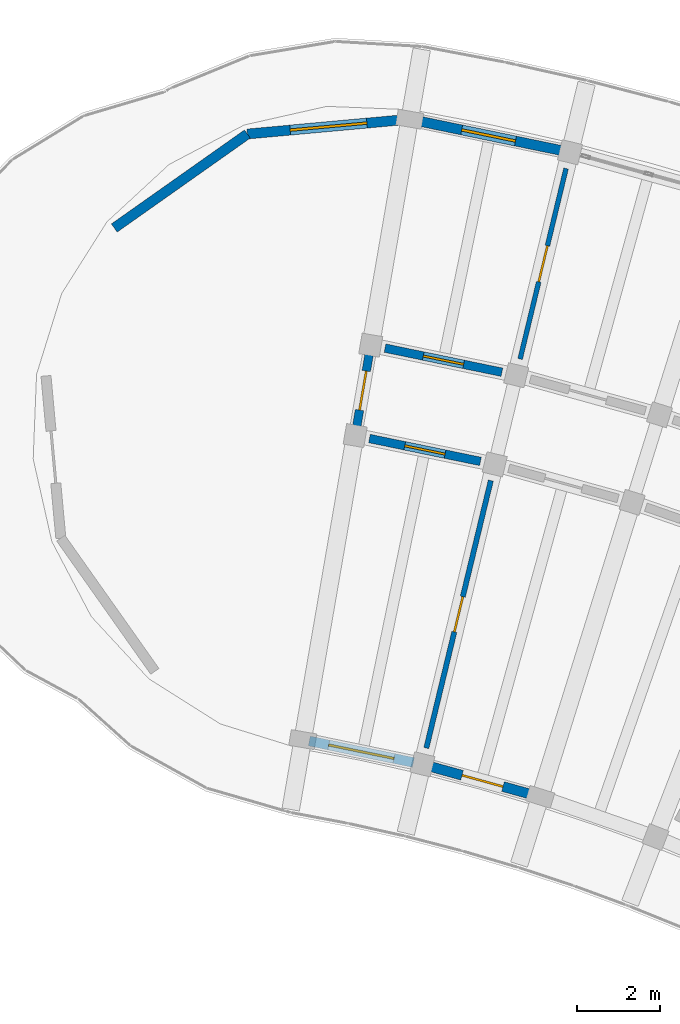
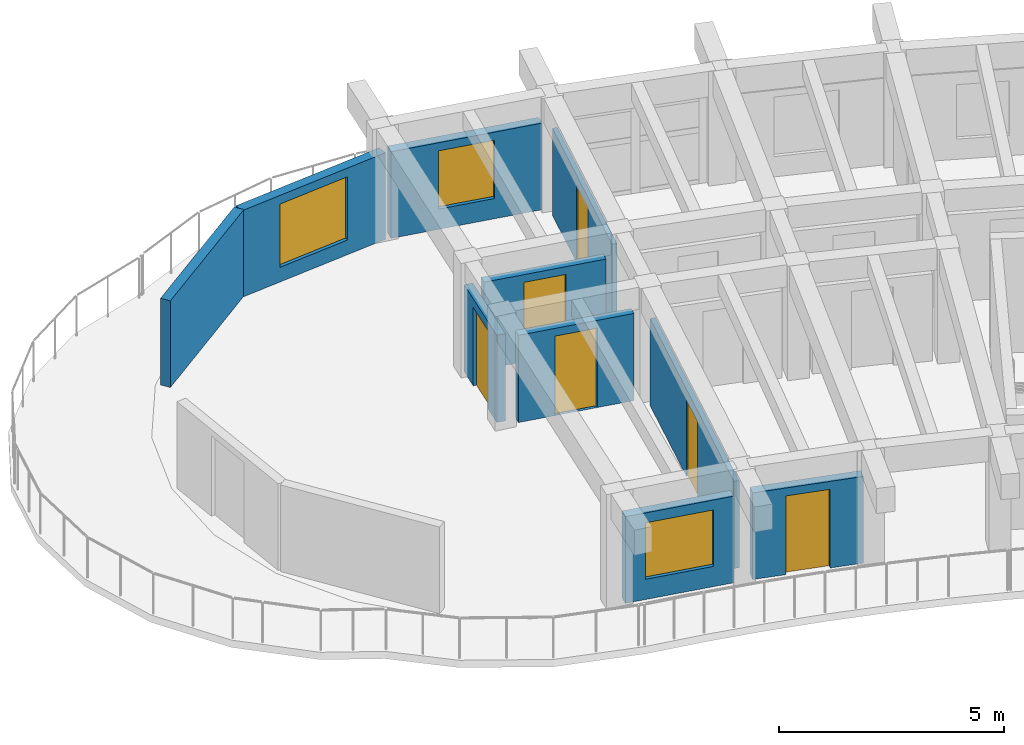
# One storey, part 51 of 83: 10 walls, 6 doors, 3 windows, 9 openings.
"""IFC4 building model written with IfcOpenShell, lengths in metres."""

import ifcopenshell
import ifcopenshell.guid

model = None  # the IFC model being written
_history = None  # IfcOwnerHistory: only IFC2X3 demands one
_inside = {}  # id of a spatial element -> (the spatial element, [elements in it])
_under = {}  # id of a project, library or spatial element -> (it, [spatial elements below it])
_declared = {}  # id of a project -> (the project, [libraries it declares])
_typed = {}  # id of a type object -> (the type object, [elements of that type])
_made_of = {}  # id of a material, layer set ... -> (it, [elements and type objects made of it])


def new_model(schema):
    """Start an empty IFC model of exactly this schema.

    Asked for "IFC4X3", IfcOpenShell would pick the latest addendum, in which some entities
    have other attributes; the version numbers below select the first issue.
    IFC2X3 requires an IfcOwnerHistory on every rooted entity: one is made here for all.
    """
    global model, _history
    if schema == "IFC4X3":
        model = ifcopenshell.file(schema_version=(4, 3, 0, 0))
    else:
        model = ifcopenshell.file(schema=schema)
    _inside.clear()
    _under.clear()
    _declared.clear()
    _typed.clear()
    _made_of.clear()
    _history = None
    if model.schema == "IFC2X3":
        org = make("IfcOrganization", Name="unknown")
        user = make(
            "IfcPersonAndOrganization",
            ThePerson=make("IfcPerson", FamilyName="unknown"),
            TheOrganization=org,
        )
        app = make(
            "IfcApplication",
            ApplicationDeveloper=org,
            Version="unknown",
            ApplicationFullName="unknown",
            ApplicationIdentifier="unknown",
        )
        _history = make(
            "IfcOwnerHistory",
            OwningUser=user,
            OwningApplication=app,
            ChangeAction="ADDED",
            CreationDate=0,
        )
    return model


def make(cls, **values):
    """One entity of the class cls with the attributes given. An attribute that is None is left unset."""
    return model.create_entity(
        cls, **{name: value for name, value in values.items() if value is not None}
    )


def rooted(cls, **values):
    """An entity with a GlobalId (a new one), such as an element, a storey or a relation."""
    return make(cls, GlobalId=ifcopenshell.guid.new(), OwnerHistory=_history, **values)


def si_unit(unit_type, name, prefix=None):
    """IfcSIUnit, for example si_unit("LENGTHUNIT", "METRE", prefix="MILLI")."""
    return make("IfcSIUnit", UnitType=unit_type, Prefix=prefix, Name=name)


def assignment(units):
    """IfcUnitAssignment: the units of a project."""
    return None if units is None else make("IfcUnitAssignment", Units=units)


def point(xyz):
    """IfcCartesianPoint."""
    return None if xyz is None else make("IfcCartesianPoint", Coordinates=xyz)


def direction(xyz):
    """IfcDirection."""
    return None if xyz is None else make("IfcDirection", DirectionRatios=xyz)


def frame(location, z_axis=None, x_axis=None):
    """IfcAxis2Placement3D, a coordinate frame: its origin and axes. An axis left out is left unset."""
    return make(
        "IfcAxis2Placement3D",
        Location=point(location),
        Axis=direction(z_axis),
        RefDirection=direction(x_axis),
    )


def frame_2d(location, x_axis=None):
    """IfcAxis2Placement2D, a coordinate frame in the plane: its origin and x axis."""
    return make(
        "IfcAxis2Placement2D", Location=point(location), RefDirection=direction(x_axis)
    )


def origin():
    """The frame at (0, 0, 0) with its axes left unset."""
    return frame((0.0, 0.0, 0.0))


def place(relative_to, where):
    """IfcLocalPlacement: puts the frame where relative to a parent placement (None: the world)."""
    return make(
        "IfcLocalPlacement", PlacementRelTo=relative_to, RelativePlacement=where
    )


def context(
    kind, dimensions, precision=None, world=None, true_north=None, identifier=None
):
    """IfcGeometricRepresentationContext, for example the 3D "Model" context."""
    return make(
        "IfcGeometricRepresentationContext",
        ContextIdentifier=identifier,
        ContextType=kind,
        CoordinateSpaceDimension=dimensions,
        Precision=precision,
        WorldCoordinateSystem=world,
        TrueNorth=true_north,
    )


def subcontext(parent, identifier, kind, view, scale=None):
    """IfcGeometricRepresentationSubContext, for example "Body" below "Model"."""
    return make(
        "IfcGeometricRepresentationSubContext",
        ContextIdentifier=identifier,
        ContextType=kind,
        ParentContext=parent,
        TargetScale=scale,
        TargetView=view,
    )


def project(units=None, contexts=None):
    """IfcProject with its units and contexts."""
    return rooted(
        "IfcProject",
        Name="project",
        RepresentationContexts=contexts,
        UnitsInContext=assignment(units),
    )


def spatial(cls, under=None, at=None, **own):
    """A site, building, storey or space (cls), placed at a placement, below another one or the project."""
    s = rooted(cls, ObjectPlacement=at, **own)
    if under is not None:
        _under.setdefault(under.id(), (under, []))[1].append(s)
    return s


def profile(cls, at=None, kind="AREA", **sizes):
    """A parametric profile (cls). Its sizes go by their IFC names, for example OverallWidth=200.0."""
    return make(cls, ProfileType=kind, Position=at, **sizes)


def rectangle(**sizes):
    """IfcRectangleProfileDef."""
    return profile("IfcRectangleProfileDef", **sizes)


def extrude(swept, where, along, depth):
    """IfcExtrudedAreaSolid: the profile swept, set in the frame where, extruded along a direction by depth."""
    return make(
        "IfcExtrudedAreaSolid",
        SweptArea=swept,
        Position=where,
        ExtrudedDirection=direction(along),
        Depth=depth,
    )


def shape(context_of_items, identifier, shape_type, items):
    """IfcShapeRepresentation: the items that make up one representation, for example the "Body"."""
    return make(
        "IfcShapeRepresentation",
        ContextOfItems=context_of_items,
        RepresentationIdentifier=identifier,
        RepresentationType=shape_type,
        Items=items,
    )


def material(Name=None, Category=None):
    """IfcMaterial."""
    return make("IfcMaterial", Name=Name, Category=Category)


def layer(
    of_material, thickness, ventilated=None, Name=None, Category=None, Priority=None
):
    """IfcMaterialLayer: one layer of a wall or slab, of a material (None: an air gap)."""
    return make(
        "IfcMaterialLayer",
        Material=of_material,
        LayerThickness=thickness,
        IsVentilated=ventilated,
        Name=Name,
        Category=Category,
        Priority=Priority,
    )


def layer_set(layers, Name=None):
    """IfcMaterialLayerSet."""
    return make("IfcMaterialLayerSet", MaterialLayers=layers, LayerSetName=Name)


def made_of(thing, what):
    """Note that an element or type object is made of a material, layer set ...; save() writes the relation."""
    if what is not None:
        _made_of.setdefault(what.id(), (what, []))[1].append(thing)
    return thing


def type_object(cls, material=None, **own):
    """A type object (cls), such as IfcWallType, which elements share."""
    return made_of(rooted(cls, **own), material)


def element(
    cls,
    number,
    at=None,
    inside=None,
    cuts=None,
    type_object=None,
    material=None,
    context=None,
    identifier="Body",
    shape_type=None,
    held_by="IfcProductDefinitionShape",
    body=None,
    shapes=None,
    **own,
):
    """One element of the class cls, such as IfcWall. Its Tag is "e" and its number.

    at: its placement. inside: the storey or other place that contains it. cuts: it is an
    opening in that element (IfcRelVoidsElement). A single representation is given by context,
    identifier, shape_type and body (its items); several are given by shapes. held_by: the class
    of the entity that holds the representations. save() writes the other relations.
    """
    e = rooted(cls, Tag="e%d" % number, ObjectPlacement=at, **own)
    if body is not None:
        shapes = [shape(context, identifier, shape_type, body)]
    if shapes is not None:
        e.Representation = make(held_by, Representations=shapes)
    if inside is not None:
        _inside.setdefault(inside.id(), (inside, []))[1].append(e)
    if cuts is not None:
        rooted(
            "IfcRelVoidsElement", RelatingBuildingElement=cuts, RelatedOpeningElement=e
        )
    if type_object is not None:
        _typed.setdefault(type_object.id(), (type_object, []))[1].append(e)
    return made_of(e, material)


def fill(opening, filler):
    """IfcRelFillsElement: the door or window that sits in an opening."""
    return rooted(
        "IfcRelFillsElement",
        RelatingOpeningElement=opening,
        RelatedBuildingElement=filler,
    )


def aggregate(whole, parts):
    """IfcRelAggregates: a whole, such as a stair, and the parts it consists of."""
    return rooted("IfcRelAggregates", RelatingObject=whole, RelatedObjects=parts)


def save(model, path):
    """Write the relations noted so far, then the file.

    IfcRelAggregates (storeys below a building ...), IfcRelContainedInSpatialStructure (elements
    in a storey), IfcRelDefinesByType, IfcRelAssociatesMaterial and IfcRelDeclares: one each for
    every whole, place, type object, material and project.
    """
    for whole, parts in _under.values():
        aggregate(whole, parts)
    for where, things in _inside.values():
        rooted(
            "IfcRelContainedInSpatialStructure",
            RelatedElements=things,
            RelatingStructure=where,
        )
    for kind, things in _typed.values():
        rooted("IfcRelDefinesByType", RelatedObjects=things, RelatingType=kind)
    for what, things in _made_of.values():
        rooted("IfcRelAssociatesMaterial", RelatedObjects=things, RelatingMaterial=what)
    for by, libraries in _declared.values():
        rooted("IfcRelDeclares", RelatingContext=by, RelatedDefinitions=libraries)
    model.write(path)


model = new_model("IFC4")

# Units and contexts
model_context = context("Model", 3, precision=1e-05, world=origin(), true_north=direction((0.0, 1.0)))
body_context = subcontext(model_context, "Body", "Model", "MODEL_VIEW")
ifc_project = project(units=[si_unit("LENGTHUNIT", "METRE"), si_unit("AREAUNIT", "SQUARE_METRE"), si_unit("VOLUMEUNIT", "CUBIC_METRE"), si_unit("PLANEANGLEUNIT", "RADIAN"), si_unit("MASSUNIT", "GRAM", prefix="KILO")], contexts=[model_context])

# Site, building, storey
site_placement = place(None, origin())
site = spatial("IfcSite", under=ifc_project, at=site_placement, CompositionType="ELEMENT")
building_placement = place(site_placement, origin())
building = spatial("IfcBuilding", under=site, at=building_placement, Name="Tanwirah Colonnade Gardens", CompositionType="ELEMENT")
storey_placement = place(building_placement, frame((0.0, 0.0, 25.639892578125)))
storey = spatial("IfcBuildingStorey", under=building, at=storey_placement, Name="L07", CompositionType="ELEMENT", Elevation=25.639892578125)

# Wall, opening, door
ifc_material_1 = material(Name="Limestone architectural precast concrete C40/50", Category="masonry")
ifc_layer_1 = layer(ifc_material_1, 0.239990234375)
ifc_layer_set_1 = layer_set([ifc_layer_1], Name="Limestone architectural precast concrete C40/50")
wall_type_1 = type_object("IfcWallType", Name="EW-PC240", PredefinedType="SOLIDWALL", material=ifc_layer_set_1)
wall_1_placement = place(storey_placement, frame((134.0888671875, 102.674072265625, 0.0), z_axis=(0.0, 0.0, 1.0), x_axis=(-0.963885917636, 0.266315485437, 0.0)))
wall_1 = element("IfcWall", 1, at=wall_1_placement, inside=storey, type_object=wall_type_1, Name="Block B L07 IN Precast Facade Wall 15", PredefinedType="SOLIDWALL", context=body_context, shape_type="SweptSolid", body=[
    extrude(rectangle(XDim=2.55029296875, YDim=0.239990234375, at=frame_2d((1.275146484375, 0.0))), origin(), (0.0, 0.0, 1.0), 2.355224609375),
])
opening_1_placement = place(wall_1_placement, frame((0.76513671875, 0.0, 0.0)))
opening_1 = element("IfcOpeningElement", 2, at=opening_1_placement, cuts=wall_1, Name="Opening L07-ED101", PredefinedType="OPENING", context=body_context, shape_type="SweptSolid", body=[
    extrude(rectangle(XDim=1.02001953125, YDim=2.139892578125, at=frame_2d((0.510009765625, 1.06982421875))), frame((0.0, 0.1298828125, 0.0), z_axis=(0.0, -1.0, 0.0), x_axis=(1.0, 0.0, 0.0)), (0.0, 0.0, 1.0), 0.260009765625),
])
ifc_material_2 = material(Name="Bronze aluminium glazed balcony door", Category="aluminium")
door_type_1 = type_object("IfcDoorType", Name="ED-BAL102", OperationType="NOTDEFINED", PredefinedType="DOOR", material=ifc_material_2)
door_1_placement = place(opening_1_placement, origin())
door_1 = element("IfcDoor", 3, at=door_1_placement, inside=storey, type_object=door_type_1, Name="Balcony glazed door L07-ED101", OperationType="SINGLE_SWING_LEFT", OverallHeight=2.139892578125, OverallWidth=1.02001953125, PredefinedType="DOOR", context=body_context, shape_type="SweptSolid", body=[
    extrude(rectangle(XDim=1.02001953125, YDim=2.139892578125, at=frame_2d((0.510009765625, 1.06982421875))), frame((0.0, 0.02490234375, 0.0), z_axis=(0.0, -1.0, 0.0), x_axis=(1.0, 0.0, 0.0)), (0.0, 0.0, 1.0), 0.050048828125),
])
fill(opening_1, door_1)

# Wall, opening, window
wall_2_placement = place(storey_placement, frame((134.742431640625, 118.135498046875, 0.0), z_axis=(0.0, 0.0, 1.0), x_axis=(-0.97933807536, 0.202229904193, 0.0)))
wall_2 = element("IfcWall", 4, at=wall_2_placement, inside=storey, type_object=wall_type_1, Name="Block B L07 OUT Precast Facade Wall 16", PredefinedType="SOLIDWALL", context=body_context, shape_type="SweptSolid", body=[
    extrude(rectangle(XDim=3.545654296875, YDim=0.239990234375, at=frame_2d((1.77294921875, 0.0))), origin(), (0.0, 0.0, 1.0), 2.355224609375),
])
opening_2_placement = place(wall_2_placement, frame((1.11279296875, 0.0, 0.550048828125)))
opening_2 = element("IfcOpeningElement", 5, at=opening_2_placement, cuts=wall_2, Name="Opening WIN-U05", PredefinedType="OPENING", context=body_context, shape_type="SweptSolid", body=[
    extrude(rectangle(XDim=1.320068359375, YDim=1.5849609375, at=frame_2d((0.66015625, 0.79248046875))), frame((0.0, 0.1298828125, 0.0), z_axis=(0.0, -1.0, 0.0), x_axis=(1.0, 0.0, 0.0)), (0.0, 0.0, 1.0), 0.260009765625),
])
ifc_material_3 = material(Name="Thermally broken bronze aluminium and solar low-E double glazing", Category="aluminium")
window_type_1 = type_object("IfcWindowType", Name="WIN-U05", PartitioningType="DOUBLE_PANEL_VERTICAL", PredefinedType="WINDOW", material=ifc_material_3)
window_1_placement = place(opening_2_placement, origin())
window_1 = element("IfcWindow", 6, at=window_1_placement, inside=storey, type_object=window_type_1, Name="Facade window B-L07-OUT-16", OverallHeight=1.5849609375, OverallWidth=1.320068359375, PartitioningType="SINGLE_PANEL", PredefinedType="WINDOW", context=body_context, shape_type="SweptSolid", body=[
    extrude(rectangle(XDim=1.320068359375, YDim=1.5849609375, at=frame_2d((0.66015625, 0.79248046875))), frame((0.0, 0.030029296875, 0.0), z_axis=(0.0, -1.0, 0.0), x_axis=(1.0, 0.0, 0.0)), (0.0, 0.0, 1.0), 0.06005859375),
])
fill(opening_2, window_1)

wall_3_placement = place(storey_placement, frame((131.203125, 103.456298828125, 0.0), z_axis=(0.0, 0.0, 1.0), x_axis=(-0.979346784625, 0.202187723277, 0.0)))
wall_3 = element("IfcWall", 7, at=wall_3_placement, inside=storey, type_object=wall_type_1, Name="Block B L07 IN Precast Facade Wall 16", PredefinedType="SOLIDWALL", context=body_context, shape_type="SweptSolid", body=[
    extrude(rectangle(XDim=2.55029296875, YDim=0.239990234375, at=frame_2d((1.275146484375, 0.0))), origin(), (0.0, 0.0, 1.0), 2.355224609375),
])
opening_3_placement = place(wall_3_placement, frame((0.47509765625, 0.0, 0.550048828125)))
opening_3 = element("IfcOpeningElement", 8, at=opening_3_placement, cuts=wall_3, Name="Opening WIN-U12", PredefinedType="OPENING", context=body_context, shape_type="SweptSolid", body=[
    extrude(rectangle(XDim=1.60009765625, YDim=1.534912109375, at=frame_2d((0.800048828125, 0.767578125))), frame((0.0, 0.1298828125, 0.0), z_axis=(0.0, -1.0, 0.0), x_axis=(1.0, 0.0, 0.0)), (0.0, 0.0, 1.0), 0.260009765625),
])
window_type_2 = type_object("IfcWindowType", Name="WIN-U12", PartitioningType="DOUBLE_PANEL_VERTICAL", PredefinedType="WINDOW", material=ifc_material_3)
window_2_placement = place(opening_3_placement, origin())
window_2 = element("IfcWindow", 9, at=window_2_placement, inside=storey, type_object=window_type_2, Name="Facade window B-L07-IN-16", OverallHeight=1.534912109375, OverallWidth=1.60009765625, PartitioningType="SINGLE_PANEL", PredefinedType="WINDOW", context=body_context, shape_type="SweptSolid", body=[
    extrude(rectangle(XDim=1.60009765625, YDim=1.534912109375, at=frame_2d((0.800048828125, 0.767578125))), frame((0.0, 0.030029296875, 0.0), z_axis=(0.0, -1.0, 0.0), x_axis=(1.0, 0.0, 0.0)), (0.0, 0.0, 1.0), 0.06005859375),
])
fill(opening_3, window_2)

# Wall
wall_4_placement = place(storey_placement, frame((124.028564453125, 116.275146484375, 0.0), z_axis=(0.0, 0.0, 1.0), x_axis=(0.816903802512, 0.576773939634, 0.0)))
element("IfcWall", 10, at=wall_4_placement, inside=storey, type_object=wall_type_1, Name="Block B L07 END Rounded End Wall 4", PredefinedType="SOLIDWALL", context=body_context, shape_type="SweptSolid", body=[
    extrude(rectangle(XDim=3.908203125, YDim=0.239990234375, at=frame_2d((1.9541015625, 0.0))), origin(), (0.0, 0.0, 1.0), 2.355224609375),
])

# Wall, opening, window
wall_5_placement = place(storey_placement, frame((127.22119140625, 118.529296875, 0.0), z_axis=(0.0, 0.0, 1.0), x_axis=(0.995849569279, 0.091014478888, 0.0)))
wall_5 = element("IfcWall", 11, at=wall_5_placement, inside=storey, type_object=wall_type_1, Name="Block B L07 END Rounded End Wall 5", PredefinedType="SOLIDWALL", context=body_context, shape_type="SweptSolid", body=[
    extrude(rectangle(XDim=3.908203125, YDim=0.239990234375, at=frame_2d((1.9541015625, 0.0))), origin(), (0.0, 0.0, 1.0), 2.355224609375),
])
opening_4_placement = place(wall_5_placement, frame((1.029052734375, 0.0, 0.39990234375)))
opening_4 = element("IfcOpeningElement", 12, at=opening_4_placement, cuts=wall_5, Name="Opening WIN-END1", PredefinedType="OPENING", context=body_context, shape_type="SweptSolid", body=[
    extrude(rectangle(XDim=1.85009765625, YDim=1.719970703125, at=frame_2d((0.925048828125, 0.85986328125))), frame((0.0, 0.1298828125, 0.0), z_axis=(0.0, -1.0, 0.0), x_axis=(1.0, 0.0, 0.0)), (0.0, 0.0, 1.0), 0.260009765625),
])
window_type_3 = type_object("IfcWindowType", Name="WIN-END1", PartitioningType="TRIPLE_PANEL_VERTICAL", PredefinedType="WINDOW", material=ifc_material_3)
window_3_placement = place(opening_4_placement, origin())
window_3 = element("IfcWindow", 13, at=window_3_placement, inside=storey, type_object=window_type_3, Name="Rounded corner window B-L07-END-5", OverallHeight=1.719970703125, OverallWidth=1.85009765625, PartitioningType="SINGLE_PANEL", PredefinedType="WINDOW", context=body_context, shape_type="SweptSolid", body=[
    extrude(rectangle(XDim=1.85009765625, YDim=1.719970703125, at=frame_2d((0.925048828125, 0.85986328125))), frame((0.0, 0.030029296875, 0.0), z_axis=(0.0, -1.0, 0.0), x_axis=(1.0, 0.0, 0.0)), (0.0, 0.0, 1.0), 0.06005859375),
])
fill(opening_4, window_3)

# Wall, opening, door
ifc_material_4 = material(Name="Precast concrete C40/50", Category="concrete")
ifc_layer_2 = layer(ifc_material_4, 0.205078125)
ifc_layer_set_2 = layer_set([ifc_layer_2], Name="Precast concrete C40/50")
wall_type_2 = type_object("IfcWallType", Name="IW-CORR205", PredefinedType="PARTITIONING", material=ifc_layer_set_2)
wall_6_placement = place(storey_placement, frame((133.325927734375, 112.815185546875, 0.0), z_axis=(0.0, 0.0, 1.0), x_axis=(-0.979348418612, 0.202179808492, 0.0)))
wall_6 = element("IfcWall", 14, at=wall_6_placement, inside=storey, type_object=wall_type_2, Name="Block B L07 OUT Corridor Wall 16", PredefinedType="PARTITIONING", context=body_context, shape_type="SweptSolid", body=[
    extrude(rectangle(XDim=2.863037109375, YDim=0.205078125, at=frame_2d((1.431640625, 0.0))), origin(), (0.0, 0.0, 1.0), 2.3701171875),
])
opening_5_placement = place(wall_6_placement, frame((0.9365234375, 0.0, 0.0)))
opening_5 = element("IfcOpeningElement", 15, at=opening_5_placement, cuts=wall_6, Name="Opening L07-AD1123", PredefinedType="OPENING", context=body_context, shape_type="SweptSolid", body=[
    extrude(rectangle(XDim=0.989990234375, YDim=2.159912109375, at=frame_2d((0.4951171875, 1.080078125))), frame((0.0, 0.112548828125, 0.0), z_axis=(0.0, -1.0, 0.0), x_axis=(1.0, 0.0, 0.0)), (0.0, 0.0, 1.0), 0.22509765625),
])
ifc_material_5 = material(Name="Solid oak fire-resisting apartment entrance door")
door_type_2 = type_object("IfcDoorType", Name="ID-FLT099", OperationType="NOTDEFINED", PredefinedType="DOOR", material=ifc_material_5)
door_2_placement = place(opening_5_placement, origin())
door_2 = element("IfcDoor", 16, at=door_2_placement, inside=storey, type_object=door_type_2, Name="Apartment corridor door L07-AD1123", OperationType="SINGLE_SWING_RIGHT", OverallHeight=2.159912109375, OverallWidth=0.989990234375, PredefinedType="DOOR", context=body_context, shape_type="SweptSolid", body=[
    extrude(rectangle(XDim=0.989990234375, YDim=2.159912109375, at=frame_2d((0.4951171875, 1.080078125))), frame((0.0, 0.02490234375, 0.0), z_axis=(0.0, -1.0, 0.0), x_axis=(1.0, 0.0, 0.0)), (0.0, 0.0, 1.0), 0.050048828125),
])
fill(opening_5, door_2)

wall_7_placement = place(storey_placement, frame((132.810302734375, 110.676513671875, 0.0), z_axis=(0.0, 0.0, 1.0), x_axis=(-0.979349423541, 0.202174940608, 0.0)))
wall_7 = element("IfcWall", 17, at=wall_7_placement, inside=storey, type_object=wall_type_2, Name="Block B L07 IN Corridor Wall 16", PredefinedType="PARTITIONING", context=body_context, shape_type="SweptSolid", body=[
    extrude(rectangle(XDim=2.71826171875, YDim=0.205078125, at=frame_2d((1.359130859375, 0.0))), origin(), (0.0, 0.0, 1.0), 2.3701171875),
])
opening_6_placement = place(wall_7_placement, frame((0.864013671875, 0.0, 0.0)))
opening_6 = element("IfcOpeningElement", 18, at=opening_6_placement, cuts=wall_7, Name="Opening L07-AD1124", PredefinedType="OPENING", context=body_context, shape_type="SweptSolid", body=[
    extrude(rectangle(XDim=0.989990234375, YDim=2.159912109375, at=frame_2d((0.4951171875, 1.080078125))), frame((0.0, 0.112548828125, 0.0), z_axis=(0.0, -1.0, 0.0), x_axis=(1.0, 0.0, 0.0)), (0.0, 0.0, 1.0), 0.22509765625),
])
door_3_placement = place(opening_6_placement, origin())
door_3 = element("IfcDoor", 19, at=door_3_placement, inside=storey, type_object=door_type_2, Name="Apartment corridor door L07-AD1124", OperationType="SINGLE_SWING_LEFT", OverallHeight=2.159912109375, OverallWidth=0.989990234375, PredefinedType="DOOR", context=body_context, shape_type="SweptSolid", body=[
    extrude(rectangle(XDim=0.989990234375, YDim=2.159912109375, at=frame_2d((0.4951171875, 1.080078125))), frame((0.0, 0.02490234375, 0.0), z_axis=(0.0, -1.0, 0.0), x_axis=(1.0, 0.0, 0.0)), (0.0, 0.0, 1.0), 0.050048828125),
])
fill(opening_6, door_3)

wall_8_placement = place(storey_placement, frame((129.81396484375, 111.34619140625, 0.0), z_axis=(0.0, 0.0, 1.0), x_axis=(0.169864088707, 0.98546749889, 0.0)))
wall_8 = element("IfcWall", 20, at=wall_8_placement, inside=storey, type_object=wall_type_2, Name="Block B L07 CE Corner Suite Corridor Wall", PredefinedType="PARTITIONING", context=body_context, shape_type="SweptSolid", body=[
    extrude(rectangle(XDim=2.099853515625, YDim=0.205078125, at=frame_2d((1.0498046875, 0.0))), origin(), (0.0, 0.0, 1.0), 2.3701171875),
])
opening_7_placement = place(wall_8_placement, frame((0.570068359375, 0.0, 0.0)))
opening_7 = element("IfcOpeningElement", 21, at=opening_7_placement, cuts=wall_8, Name="Opening L07-CD1126", PredefinedType="OPENING", context=body_context, shape_type="SweptSolid", body=[
    extrude(rectangle(XDim=0.949951171875, YDim=2.1298828125, at=frame_2d((0.47509765625, 1.06494140625))), frame((0.0, 0.112548828125, 0.0), z_axis=(0.0, -1.0, 0.0), x_axis=(1.0, 0.0, 0.0)), (0.0, 0.0, 1.0), 0.22509765625),
])
door_type_3 = type_object("IfcDoorType", Name="ID-FLT095", OperationType="NOTDEFINED", PredefinedType="DOOR", material=ifc_material_5)
door_4_placement = place(opening_7_placement, origin())
door_4 = element("IfcDoor", 22, at=door_4_placement, inside=storey, type_object=door_type_3, Name="Corner suite entrance door L07-CD1126", OperationType="SINGLE_SWING_RIGHT", OverallHeight=2.1298828125, OverallWidth=0.949951171875, PredefinedType="DOOR", context=body_context, shape_type="SweptSolid", body=[
    extrude(rectangle(XDim=0.949951171875, YDim=2.1298828125, at=frame_2d((0.47509765625, 1.06494140625))), frame((0.0, 0.02490234375, 0.0), z_axis=(0.0, -1.0, 0.0), x_axis=(1.0, 0.0, 0.0)), (0.0, 0.0, 1.0), 0.050048828125),
])
fill(opening_7, door_4)

ifc_material_6 = material(Name="Acoustic gypsum stud partition")
ifc_layer_3 = layer(ifc_material_6, 0.114990234375)
ifc_layer_set_3 = layer_set([ifc_layer_3], Name="Acoustic gypsum stud partition")
wall_type_3 = type_object("IfcWallType", Name="IW-INT115", PredefinedType="PARTITIONING", material=ifc_layer_set_3)
wall_9_placement = place(storey_placement, frame((133.762451171875, 113.13330078125, 0.0), z_axis=(0.0, 0.0, 1.0), x_axis=(0.234386624934, 0.972143461662, 0.0)))
wall_9 = element("IfcWall", 23, at=wall_9_placement, inside=storey, type_object=wall_type_3, Name="Block B L07 Radial Partition 15", PredefinedType="PARTITIONING", context=body_context, shape_type="SweptSolid", body=[
    extrude(rectangle(XDim=4.69970703125, YDim=0.114990234375, at=frame_2d((2.349853515625, 0.0))), origin(), (0.0, 0.0, 1.0), 2.3701171875),
])
opening_8_placement = place(wall_9_placement, frame((1.905029296875, 0.0, 0.0)))
opening_8 = element("IfcOpeningElement", 24, at=opening_8_placement, cuts=wall_9, Name="Opening L07-RD1121", PredefinedType="OPENING", context=body_context, shape_type="SweptSolid", body=[
    extrude(rectangle(XDim=0.889892578125, YDim=2.10009765625, at=frame_2d((0.44482421875, 1.050048828125))), frame((0.0, 0.0673828125, 0.0), z_axis=(0.0, -1.0, 0.0), x_axis=(1.0, 0.0, 0.0)), (0.0, 0.0, 1.0), 0.135009765625),
])
ifc_material_7 = material(Name="Painted hardwood bedroom door", Category="wood")
door_type_4 = type_object("IfcDoorType", Name="ID-RM089", OperationType="NOTDEFINED", PredefinedType="DOOR", material=ifc_material_7)
door_5_placement = place(opening_8_placement, origin())
door_5 = element("IfcDoor", 25, at=door_5_placement, inside=storey, type_object=door_type_4, Name="Internal apartment door L07-RD1121", OperationType="SINGLE_SWING_LEFT", OverallHeight=2.10009765625, OverallWidth=0.889892578125, PredefinedType="DOOR", context=body_context, shape_type="SweptSolid", body=[
    extrude(rectangle(XDim=0.889892578125, YDim=2.10009765625, at=frame_2d((0.44482421875, 1.050048828125))), frame((0.0, 0.02490234375, 0.0), z_axis=(0.0, -1.0, 0.0), x_axis=(1.0, 0.0, 0.0)), (0.0, 0.0, 1.0), 0.050048828125),
])
fill(opening_8, door_5)

ifc_material_8 = material(Name="Moisture-resistant gypsum stud partition")
ifc_layer_4 = layer(ifc_material_8, 0.125)
ifc_layer_set_4 = layer_set([ifc_layer_4], Name="Moisture-resistant gypsum stud partition")
wall_type_4 = type_object("IfcWallType", Name="IW-INT125", PredefinedType="PARTITIONING", material=ifc_layer_set_4)
wall_10_placement = place(storey_placement, frame((131.51220703125, 103.800537109375, 0.0), z_axis=(0.0, 0.0, 1.0), x_axis=(0.234406698576, 0.972138621629, 0.0)))
wall_10 = element("IfcWall", 26, at=wall_10_placement, inside=storey, type_object=wall_type_4, Name="Block B L07 Inner Radial Partition 15", PredefinedType="PARTITIONING", context=body_context, shape_type="SweptSolid", body=[
    extrude(rectangle(XDim=6.60009765625, YDim=0.125, at=frame_2d((3.300048828125, 0.0))), origin(), (0.0, 0.0, 1.0), 2.3701171875),
])
opening_9_placement = place(wall_10_placement, frame((2.864990234375, 0.0, 0.0)))
opening_9 = element("IfcOpeningElement", 27, at=opening_9_placement, cuts=wall_10, Name="Opening L07-RD1122", PredefinedType="OPENING", context=body_context, shape_type="SweptSolid", body=[
    extrude(rectangle(XDim=0.8701171875, YDim=2.080078125, at=frame_2d((0.43505859375, 1.0400390625))), frame((0.0, 0.072509765625, 0.0), z_axis=(0.0, -1.0, 0.0), x_axis=(1.0, 0.0, 0.0)), (0.0, 0.0, 1.0), 0.14501953125),
])
ifc_material_9 = material(Name="Painted hardwood study door", Category="wood")
door_type_5 = type_object("IfcDoorType", Name="ID-RM087", OperationType="NOTDEFINED", PredefinedType="DOOR", material=ifc_material_9)
door_6_placement = place(opening_9_placement, origin())
door_6 = element("IfcDoor", 28, at=door_6_placement, inside=storey, type_object=door_type_5, Name="Internal apartment door L07-RD1122", OperationType="SINGLE_SWING_RIGHT", OverallHeight=2.080078125, OverallWidth=0.8701171875, PredefinedType="DOOR", context=body_context, shape_type="SweptSolid", body=[
    extrude(rectangle(XDim=0.8701171875, YDim=2.080078125, at=frame_2d((0.43505859375, 1.0400390625))), frame((0.0, 0.02490234375, 0.0), z_axis=(0.0, -1.0, 0.0), x_axis=(1.0, 0.0, 0.0)), (0.0, 0.0, 1.0), 0.050048828125),
])
fill(opening_9, door_6)

save(model, "model.ifc")
